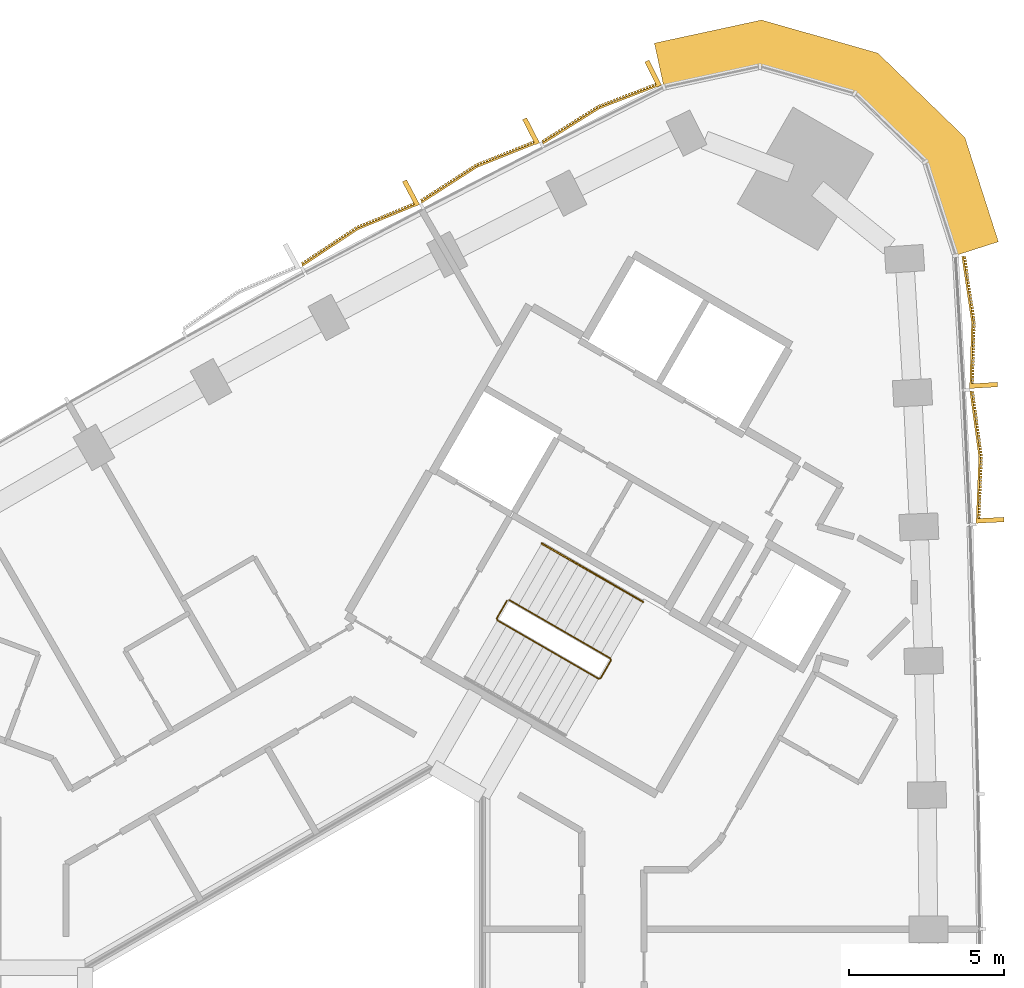
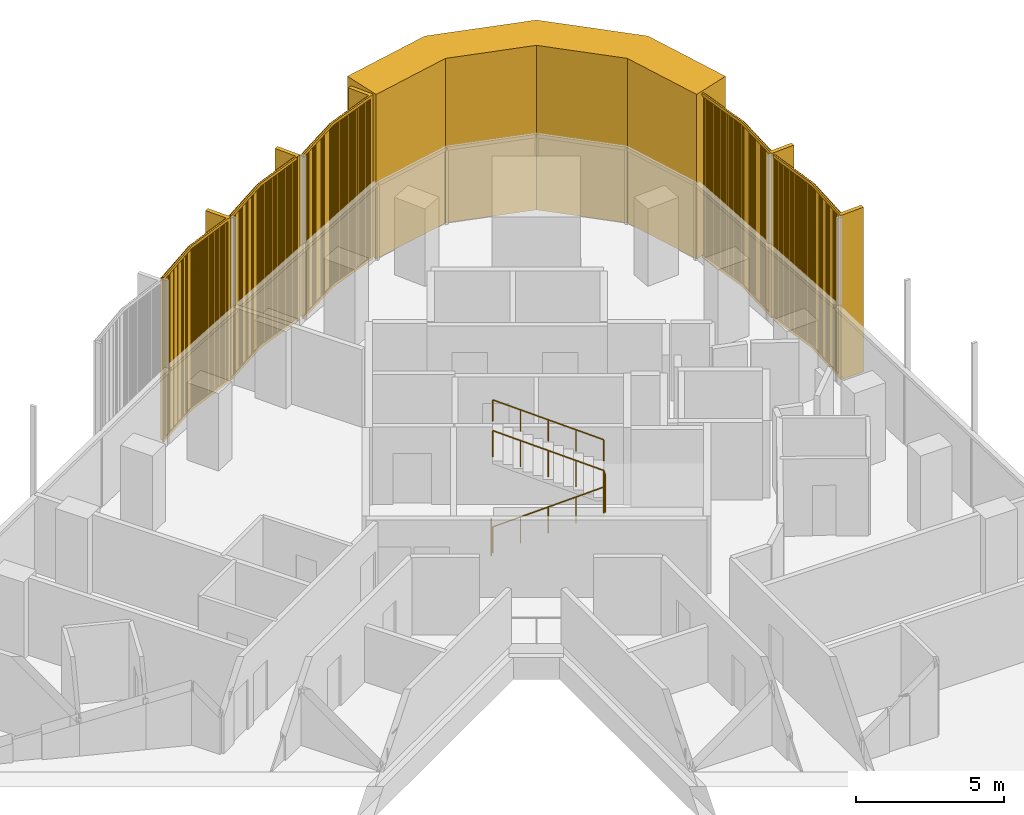
# One storey, part 15 of 15: 6 coverings, 2 railings.
"""IFC4 building model written with IfcOpenShell, lengths in metres."""

from ifc_helpers import new_model, si_unit, direction, frame, frame_2d, origin, origin_2d, place, context, subcontext, project, spatial, polyline, rectangle, circle, outline, extrude, source, transform, mapped, material, layer, layer_set, type_object, element, save


model = new_model("IFC4")

# Units and contexts
model_context = context("Model", 3, precision=1e-05, world=origin(), true_north=direction((0.0, 1.0)))
body_context = subcontext(model_context, "Body", "Model", "MODEL_VIEW")
ifc_project = project(units=[si_unit("LENGTHUNIT", "METRE"), si_unit("AREAUNIT", "SQUARE_METRE"), si_unit("VOLUMEUNIT", "CUBIC_METRE"), si_unit("PLANEANGLEUNIT", "RADIAN"), si_unit("MASSUNIT", "GRAM", prefix="KILO")], contexts=[model_context])

# Site, building, storey
site_placement = place(None, origin())
site = spatial("IfcSite", under=ifc_project, at=site_placement, CompositionType="ELEMENT")
building_placement = place(site_placement, origin())
building = spatial("IfcBuilding", under=site, at=building_placement, Name="Tamra Quay Hotel Tower", CompositionType="ELEMENT")
storey_placement = place(building_placement, frame((0.0, 0.0, 157.60009765625)))
storey = spatial("IfcBuildingStorey", under=building, at=storey_placement, Name="L39", CompositionType="ELEMENT", Elevation=157.60009765625)

# Covering
ifc_material_1 = material(Name="Precast concrete M60 terracotta-coloured", Category="masonry")
ifc_layer = layer(ifc_material_1, 1.449951171875)
ifc_layer_set = layer_set([ifc_layer], Name="CORNER PIER PANEL")
covering_type_1 = type_object("IfcCoveringType", Name="CORNER PIER PANEL", PredefinedType="CLADDING", material=ifc_layer_set)
covering_placement = place(storey_placement, origin())
element("IfcCovering", 1, at=covering_placement, inside=storey, type_object=covering_type_1, Name="Corner pier L39.east", PredefinedType="CLADDING", context=body_context, shape_type="SweptSolid", body=[
    extrude(outline(polyline([(20.0419921875, 23.864990234375), (21.422607421875, 24.30859375), (20.341552734375, 27.6728515625), (17.54150390625, 30.3828125), (13.79443359375, 31.452880859375), (10.340576171875, 30.706787109375), (10.646728515625, 29.28955078125), (13.74560546875, 29.958740234375), (16.794189453125, 29.088134765625), (19.072265625, 26.883544921875), (20.0419921875, 23.864990234375)])), origin(), (0.0, 0.0, 1.0), 6.7998046875),
])

# Railings
ifc_material_2 = material(Name="Stair guard 1100")
railing_type_1 = type_object("IfcRailingType", Name="Stair guard 1100", PredefinedType="GUARDRAIL", material=ifc_material_2)
railing_1_placement = place(storey_placement, frame((5.595458984375, 12.751953125, 0.0)))
element("IfcRailing", 2, at=railing_1_placement, inside=storey, type_object=railing_type_1, Name="GR", PredefinedType="GUARDRAIL", context=body_context, shape_type="SweptSolid", body=[
    extrude(circle(Radius=0.02392578125, at=origin_2d()), frame((0.0, 0.0, 1.076171875), z_axis=(-0.499765215335, -0.866160914346, 0.0), x_axis=(0.866160914346, -0.499765215335, 0.0)), (0.0, 0.0, 1.0), 0.658935546875),
    extrude(circle(Radius=0.02392578125, at=origin_2d()), frame((-0.329345703125, -0.57080078125, 1.076171875), z_axis=(0.110525977783, -0.411156637351, 0.904839338113), x_axis=(0.965715946433, 0.259601060869, 0.0)), (0.0, 0.0, 1.0), 0.165771484375),
    extrude(circle(Radius=0.02392578125, at=origin_2d()), frame((-0.31103515625, -0.638916015625, 1.22607421875), z_axis=(0.793078462799, -0.457933869594, 0.401650498471), x_axis=(0.500040788363, 0.866001853331, 0.0)), (0.0, 0.0, 1.0), 4.10791015625),
    extrude(circle(Radius=0.02392578125, at=origin_2d()), frame((2.94677734375, -2.52001953125, 2.8759765625), z_axis=(0.965948051503, 0.258736085224, 0.0), x_axis=(-0.258736085224, 0.965948051503, 0.0)), (0.0, 0.0, 1.0), 0.07080078125),
    extrude(circle(Radius=0.02392578125, at=origin_2d()), frame((3.01513671875, -2.501708984375, 2.8759765625), z_axis=(0.500043078269, 0.866000531106, 0.0), x_axis=(-0.866000531106, 0.500043078269, 0.0)), (0.0, 0.0, 1.0), 0.6591796875),
    extrude(circle(Radius=0.02392578125, at=origin_2d()), frame((3.3447265625, -1.930908203125, 2.8759765625), z_axis=(-0.110378772244, 0.410609032747, 0.905105932399), x_axis=(-0.965715946433, -0.259601060869, 0.0)), (0.0, 0.0, 1.0), 0.165771484375),
    extrude(circle(Radius=0.02392578125, at=origin_2d()), frame((3.326416015625, -1.86279296875, 3.02587890625), z_axis=(-0.793100512587, 0.457912285461, 0.401631567183), x_axis=(-0.500012686397, -0.866018079166, 0.0)), (0.0, 0.0, 1.0), 4.10791015625),
    extrude(circle(Radius=0.02099609375, at=origin_2d()), origin(), (0.0, 0.0, 1.0), 1.052001953125),
    extrude(circle(Radius=0.02099609375, at=origin_2d()), frame((-0.329345703125, -0.57080078125, 0.0)), (0.0, 0.0, 1.0), 1.052001953125),
    extrude(circle(Radius=0.02099609375, at=origin_2d()), frame((-0.31103515625, -0.638916015625, 0.14990234375)), (0.0, 0.0, 1.0), 1.052001953125),
    extrude(circle(Radius=0.02099609375, at=origin_2d()), frame((0.50341796875, -1.109130859375, 0.5625)), (0.0, 0.0, 1.0), 1.052001953125),
    extrude(circle(Radius=0.02099609375, at=origin_2d()), frame((1.31787109375, -1.57958984375, 0.974853515625)), (0.0, 0.0, 1.0), 1.052001953125),
    extrude(circle(Radius=0.02099609375, at=origin_2d()), frame((2.13232421875, -2.0498046875, 1.38720703125)), (0.0, 0.0, 1.0), 1.052001953125),
    extrude(circle(Radius=0.02099609375, at=origin_2d()), frame((2.94677734375, -2.52001953125, 1.7998046875)), (0.0, 0.0, 1.0), 1.052001953125),
    extrude(circle(Radius=0.02099609375, at=origin_2d()), frame((3.01513671875, -2.501708984375, 1.7998046875)), (0.0, 0.0, 1.0), 1.052001953125),
    extrude(circle(Radius=0.02099609375, at=origin_2d()), frame((3.3447265625, -1.930908203125, 1.7998046875)), (0.0, 0.0, 1.0), 1.052001953125),
    extrude(circle(Radius=0.02099609375, at=origin_2d()), frame((3.326416015625, -1.86279296875, 1.949951171875)), (0.0, 0.0, 1.0), 1.052001953125),
    extrude(circle(Radius=0.02099609375, at=origin_2d()), frame((2.511962890625, -1.392578125, 2.3623046875)), (0.0, 0.0, 1.0), 1.052001953125),
    extrude(circle(Radius=0.02099609375, at=origin_2d()), frame((1.697265625, -0.92236328125, 2.77490234375)), (0.0, 0.0, 1.0), 1.052001953125),
    extrude(circle(Radius=0.02099609375, at=origin_2d()), frame((0.8828125, -0.451904296875, 3.1875)), (0.0, 0.0, 1.0), 1.052001953125),
    extrude(circle(Radius=0.02099609375, at=origin_2d()), frame((0.068359375, 0.018310546875, 3.599853515625)), (0.0, 0.0, 1.0), 1.052001953125),
])
ifc_material_3 = material(Name="Stair handrail 900")
railing_type_2 = type_object("IfcRailingType", Name="Stair handrail 900", PredefinedType="HANDRAIL", material=ifc_material_3)
railing_2_placement = place(storey_placement, frame((9.971923828125, 12.7080078125, 1.949951171875)))
element("IfcRailing", 3, at=railing_2_placement, inside=storey, type_object=railing_type_2, Name="HR", PredefinedType="HANDRAIL", context=body_context, shape_type="SweptSolid", body=[
    extrude(circle(Radius=0.02392578125, at=origin_2d()), frame((0.0, 0.0, 0.8759765625), z_axis=(-0.793122095483, 0.45786531462, 0.401642496911), x_axis=(-0.499964013922, -0.86604617936, 0.0)), (0.0, 0.0, 1.0), 4.10791015625),
    extrude(circle(Radius=0.02099609375, at=origin_2d()), origin(), (0.0, 0.0, 1.0), 0.851806640625),
    extrude(circle(Radius=0.02099609375, at=origin_2d()), frame((-0.814453125, 0.47021484375, 0.41259765625)), (0.0, 0.0, 1.0), 0.851806640625),
    extrude(circle(Radius=0.02099609375, at=origin_2d()), frame((-1.62890625, 0.9404296875, 0.824951171875)), (0.0, 0.0, 1.0), 0.851806640625),
    extrude(circle(Radius=0.02099609375, at=origin_2d()), frame((-2.443603515625, 1.41064453125, 1.2373046875)), (0.0, 0.0, 1.0), 0.851806640625),
    extrude(circle(Radius=0.02099609375, at=origin_2d()), frame((-3.258056640625, 1.880859375, 1.64990234375)), (0.0, 0.0, 1.0), 0.851806640625),
])

# Coverings
ifc_material_4 = material(Name="Terracotta baguette extruded", Category="masonry")
covering_type_2 = type_object("IfcCoveringType", Name="BAGUETTE SCREEN E-V H6800", PredefinedType="USERDEFINED", material=ifc_material_4)
shared_shape_1 = source(origin(), body_context, "Body", "SweptSolid", [
    extrude(rectangle(XDim=2.140625, YDim=0.06005859375, at=frame_2d((1.0703125, 0.030029296875))), frame((-2.1376953125, -0.057861328125, -0.1201171875), z_axis=(0.0, 0.0, 1.0), x_axis=(0.996194698092, -0.087155742748, 0.0)), (0.0, 0.0, 1.0), 0.1201171875),
    extrude(rectangle(XDim=2.140625, YDim=0.06005859375, at=frame_2d((1.0703125, 0.030029296875))), frame((-2.1376953125, -0.057861328125, -6.800048828125), z_axis=(0.0, 0.0, 1.0), x_axis=(0.996194698092, -0.087155742748, 0.0)), (0.0, 0.0, 1.0), 0.1201171875),
    extrude(rectangle(XDim=0.070068359375, YDim=0.10009765625, at=frame_2d((0.03515625, 0.050048828125))), frame((-2.11669921875, -0.13232421875, -6.739990234375)), (0.0, 0.0, 1.0), 6.679931640625),
    extrude(rectangle(XDim=0.070068359375, YDim=0.10009765625, at=frame_2d((0.03515625, 0.050048828125))), frame((-2.01513671875, -0.141357421875, -6.739990234375)), (0.0, 0.0, 1.0), 6.679931640625),
    extrude(rectangle(XDim=0.070068359375, YDim=0.10009765625, at=frame_2d((0.03515625, 0.050048828125))), frame((-1.91357421875, -0.150146484375, -6.739990234375)), (0.0, 0.0, 1.0), 6.679931640625),
    extrude(rectangle(XDim=0.070068359375, YDim=0.10009765625, at=frame_2d((0.03515625, 0.050048828125))), frame((-1.81201171875, -0.1591796875, -6.739990234375)), (0.0, 0.0, 1.0), 6.679931640625),
    extrude(rectangle(XDim=0.070068359375, YDim=0.10009765625, at=frame_2d((0.03515625, 0.050048828125))), frame((-1.71044921875, -0.16796875, -6.739990234375)), (0.0, 0.0, 1.0), 6.679931640625),
    extrude(rectangle(XDim=0.070068359375, YDim=0.10009765625, at=frame_2d((0.03515625, 0.050048828125))), frame((-1.60888671875, -0.1767578125, -6.739990234375)), (0.0, 0.0, 1.0), 6.679931640625),
    extrude(rectangle(XDim=0.070068359375, YDim=0.10009765625, at=frame_2d((0.03515625, 0.050048828125))), frame((-1.50732421875, -0.185791015625, -6.739990234375)), (0.0, 0.0, 1.0), 6.679931640625),
    extrude(rectangle(XDim=0.070068359375, YDim=0.10009765625, at=frame_2d((0.03515625, 0.050048828125))), frame((-1.406005859375, -0.194580078125, -6.739990234375)), (0.0, 0.0, 1.0), 6.679931640625),
    extrude(rectangle(XDim=0.070068359375, YDim=0.10009765625, at=frame_2d((0.03515625, 0.050048828125))), frame((-1.304443359375, -0.20361328125, -6.739990234375)), (0.0, 0.0, 1.0), 6.679931640625),
    extrude(rectangle(XDim=0.070068359375, YDim=0.10009765625, at=frame_2d((0.03515625, 0.050048828125))), frame((-1.202880859375, -0.21240234375, -6.739990234375)), (0.0, 0.0, 1.0), 6.679931640625),
    extrude(rectangle(XDim=0.070068359375, YDim=0.10009765625, at=frame_2d((0.03515625, 0.050048828125))), frame((-1.101318359375, -0.22119140625, -6.739990234375)), (0.0, 0.0, 1.0), 6.679931640625),
    extrude(rectangle(XDim=0.070068359375, YDim=0.10009765625, at=frame_2d((0.03515625, 0.050048828125))), frame((-0.999755859375, -0.230224609375, -6.739990234375)), (0.0, 0.0, 1.0), 6.679931640625),
    extrude(rectangle(XDim=0.070068359375, YDim=0.10009765625, at=frame_2d((0.03515625, 0.050048828125))), frame((-0.898193359375, -0.239013671875, -6.739990234375)), (0.0, 0.0, 1.0), 6.679931640625),
    extrude(rectangle(XDim=0.070068359375, YDim=0.10009765625, at=frame_2d((0.03515625, 0.050048828125))), frame((-0.796630859375, -0.248046875, -6.739990234375)), (0.0, 0.0, 1.0), 6.679931640625),
    extrude(rectangle(XDim=0.070068359375, YDim=0.10009765625, at=frame_2d((0.03515625, 0.050048828125))), frame((-0.695068359375, -0.2568359375, -6.739990234375)), (0.0, 0.0, 1.0), 6.679931640625),
    extrude(rectangle(XDim=0.070068359375, YDim=0.10009765625, at=frame_2d((0.03515625, 0.050048828125))), frame((-0.593505859375, -0.265625, -6.739990234375)), (0.0, 0.0, 1.0), 6.679931640625),
    extrude(rectangle(XDim=0.070068359375, YDim=0.10009765625, at=frame_2d((0.03515625, 0.050048828125))), frame((-0.491943359375, -0.274658203125, -6.739990234375)), (0.0, 0.0, 1.0), 6.679931640625),
    extrude(rectangle(XDim=0.070068359375, YDim=0.10009765625, at=frame_2d((0.03515625, 0.050048828125))), frame((-0.390380859375, -0.283447265625, -6.739990234375)), (0.0, 0.0, 1.0), 6.679931640625),
    extrude(rectangle(XDim=0.070068359375, YDim=0.10009765625, at=frame_2d((0.03515625, 0.050048828125))), frame((-0.288818359375, -0.29248046875, -6.739990234375)), (0.0, 0.0, 1.0), 6.679931640625),
    extrude(rectangle(XDim=0.070068359375, YDim=0.10009765625, at=frame_2d((0.03515625, 0.050048828125))), frame((-0.187255859375, -0.30126953125, -6.739990234375)), (0.0, 0.0, 1.0), 6.679931640625),
    extrude(rectangle(XDim=0.070068359375, YDim=0.10009765625, at=frame_2d((0.03515625, 0.050048828125))), frame((-0.085693359375, -0.31005859375, -6.739990234375)), (0.0, 0.0, 1.0), 6.679931640625),
    extrude(rectangle(XDim=2.140625, YDim=0.06005859375, at=frame_2d((1.0703125, 0.030029296875))), frame((0.005126953125, -0.244384765625, -0.1201171875), z_axis=(0.0, 0.0, 1.0), x_axis=(0.996194698092, 0.087155742748, 0.0)), (0.0, 0.0, 1.0), 0.1201171875),
    extrude(rectangle(XDim=2.140625, YDim=0.06005859375, at=frame_2d((1.0703125, 0.030029296875))), frame((0.005126953125, -0.244384765625, -6.800048828125), z_axis=(0.0, 0.0, 1.0), x_axis=(0.996194698092, 0.087155742748, 0.0)), (0.0, 0.0, 1.0), 0.1201171875),
    extrude(rectangle(XDim=0.070068359375, YDim=0.10009765625, at=frame_2d((0.03515625, 0.050048828125))), frame((0.015869140625, -0.31005859375, -6.739990234375)), (0.0, 0.0, 1.0), 6.679931640625),
    extrude(rectangle(XDim=0.070068359375, YDim=0.10009765625, at=frame_2d((0.03515625, 0.050048828125))), frame((0.117431640625, -0.30126953125, -6.739990234375)), (0.0, 0.0, 1.0), 6.679931640625),
    extrude(rectangle(XDim=0.070068359375, YDim=0.10009765625, at=frame_2d((0.03515625, 0.050048828125))), frame((0.21875, -0.29248046875, -6.739990234375)), (0.0, 0.0, 1.0), 6.679931640625),
    extrude(rectangle(XDim=0.070068359375, YDim=0.10009765625, at=frame_2d((0.03515625, 0.050048828125))), frame((0.3203125, -0.283447265625, -6.739990234375)), (0.0, 0.0, 1.0), 6.679931640625),
    extrude(rectangle(XDim=0.070068359375, YDim=0.10009765625, at=frame_2d((0.03515625, 0.050048828125))), frame((0.421875, -0.274658203125, -6.739990234375)), (0.0, 0.0, 1.0), 6.679931640625),
    extrude(rectangle(XDim=0.070068359375, YDim=0.10009765625, at=frame_2d((0.03515625, 0.050048828125))), frame((0.5234375, -0.265625, -6.739990234375)), (0.0, 0.0, 1.0), 6.679931640625),
    extrude(rectangle(XDim=0.070068359375, YDim=0.10009765625, at=frame_2d((0.03515625, 0.050048828125))), frame((0.625, -0.2568359375, -6.739990234375)), (0.0, 0.0, 1.0), 6.679931640625),
    extrude(rectangle(XDim=0.070068359375, YDim=0.10009765625, at=frame_2d((0.03515625, 0.050048828125))), frame((0.7265625, -0.248046875, -6.739990234375)), (0.0, 0.0, 1.0), 6.679931640625),
    extrude(rectangle(XDim=0.070068359375, YDim=0.10009765625, at=frame_2d((0.03515625, 0.050048828125))), frame((0.828125, -0.239013671875, -6.739990234375)), (0.0, 0.0, 1.0), 6.679931640625),
    extrude(rectangle(XDim=0.070068359375, YDim=0.10009765625, at=frame_2d((0.03515625, 0.050048828125))), frame((0.9296875, -0.230224609375, -6.739990234375)), (0.0, 0.0, 1.0), 6.679931640625),
    extrude(rectangle(XDim=0.070068359375, YDim=0.10009765625, at=frame_2d((0.03515625, 0.050048828125))), frame((1.03125, -0.22119140625, -6.739990234375)), (0.0, 0.0, 1.0), 6.679931640625),
    extrude(rectangle(XDim=0.070068359375, YDim=0.10009765625, at=frame_2d((0.03515625, 0.050048828125))), frame((1.1328125, -0.21240234375, -6.739990234375)), (0.0, 0.0, 1.0), 6.679931640625),
    extrude(rectangle(XDim=0.070068359375, YDim=0.10009765625, at=frame_2d((0.03515625, 0.050048828125))), frame((1.234375, -0.20361328125, -6.739990234375)), (0.0, 0.0, 1.0), 6.679931640625),
    extrude(rectangle(XDim=0.070068359375, YDim=0.10009765625, at=frame_2d((0.03515625, 0.050048828125))), frame((1.3359375, -0.194580078125, -6.739990234375)), (0.0, 0.0, 1.0), 6.679931640625),
    extrude(rectangle(XDim=0.070068359375, YDim=0.10009765625, at=frame_2d((0.03515625, 0.050048828125))), frame((1.4375, -0.185791015625, -6.739990234375)), (0.0, 0.0, 1.0), 6.679931640625),
    extrude(rectangle(XDim=0.070068359375, YDim=0.10009765625, at=frame_2d((0.03515625, 0.050048828125))), frame((1.5390625, -0.1767578125, -6.739990234375)), (0.0, 0.0, 1.0), 6.679931640625),
    extrude(rectangle(XDim=0.070068359375, YDim=0.10009765625, at=frame_2d((0.03515625, 0.050048828125))), frame((1.640625, -0.16796875, -6.739990234375)), (0.0, 0.0, 1.0), 6.679931640625),
    extrude(rectangle(XDim=0.070068359375, YDim=0.10009765625, at=frame_2d((0.03515625, 0.050048828125))), frame((1.7421875, -0.1591796875, -6.739990234375)), (0.0, 0.0, 1.0), 6.679931640625),
    extrude(rectangle(XDim=0.070068359375, YDim=0.10009765625, at=frame_2d((0.03515625, 0.050048828125))), frame((1.84375, -0.150146484375, -6.739990234375)), (0.0, 0.0, 1.0), 6.679931640625),
    extrude(rectangle(XDim=0.070068359375, YDim=0.10009765625, at=frame_2d((0.03515625, 0.050048828125))), frame((1.945068359375, -0.141357421875, -6.739990234375)), (0.0, 0.0, 1.0), 6.679931640625),
    extrude(rectangle(XDim=0.070068359375, YDim=0.10009765625, at=frame_2d((0.03515625, 0.050048828125))), frame((2.046630859375, -0.13232421875, -6.739990234375)), (0.0, 0.0, 1.0), 6.679931640625),
    extrude(rectangle(XDim=0.14990234375, YDim=0.902099609375, at=frame_2d((0.074951171875, 0.451171875))), frame((-2.132568359375, -0.89990234375, -6.800048828125)), (0.0, 0.0, 1.0), 6.800048828125),
])
for number, where, z_axis, x_axis, name in (
    (4, (20.6025390625, 17.371826171875, 6.7998046875), (0.0, 0.0, 1.0), (-0.04774710654, 0.998859456489, 0.0), "Baguette screen L39.E.f09"),
    (5, (20.369384765625, 21.709716796875, 6.7998046875), (0.0, 0.0, 1.0), (-0.05964191564, 0.998219836458, 0.0), "Baguette screen L39.E.f10"),
):
    element("IfcCovering", number, at=place(storey_placement, frame(where, z_axis=z_axis, x_axis=x_axis)), inside=storey, type_object=covering_type_2, Name=name, ObjectType="BAGUETTE SCREEN", PredefinedType="USERDEFINED", context=body_context, shape_type="MappedRepresentation", body=[
        mapped(shared_shape_1, transform((0.0, 0.0, 0.0), scale=1.0)),
    ])
covering_type_3 = type_object("IfcCoveringType", Name="BAGUETTE SCREEN NW-V H6800", PredefinedType="USERDEFINED", material=ifc_material_4)
shared_shape_2 = source(origin(), body_context, "Body", "SweptSolid", [
    extrude(rectangle(XDim=2.142333984375, YDim=0.06005859375, at=frame_2d((1.0712890625, 0.030029296875))), frame((-2.13818359375, -0.0576171875, -0.1201171875), z_axis=(0.0, 0.0, 1.0), x_axis=(0.995396198367, -0.09584575252, 0.0)), (0.0, 0.0, 1.0), 0.1201171875),
    extrude(rectangle(XDim=2.142333984375, YDim=0.06005859375, at=frame_2d((1.0712890625, 0.030029296875))), frame((-2.13818359375, -0.0576171875, -6.800048828125), z_axis=(0.0, 0.0, 1.0), x_axis=(0.995396198367, -0.09584575252, 0.0)), (0.0, 0.0, 1.0), 0.1201171875),
    extrude(rectangle(XDim=0.070068359375, YDim=0.10009765625, at=frame_2d((0.03515625, 0.050048828125))), frame((-2.11669921875, -0.1328125, -6.739990234375)), (0.0, 0.0, 1.0), 6.679931640625),
    extrude(rectangle(XDim=0.070068359375, YDim=0.10009765625, at=frame_2d((0.03515625, 0.050048828125))), frame((-2.01513671875, -0.142578125, -6.739990234375)), (0.0, 0.0, 1.0), 6.679931640625),
    extrude(rectangle(XDim=0.070068359375, YDim=0.10009765625, at=frame_2d((0.03515625, 0.050048828125))), frame((-1.91357421875, -0.15234375, -6.739990234375)), (0.0, 0.0, 1.0), 6.679931640625),
    extrude(rectangle(XDim=0.070068359375, YDim=0.10009765625, at=frame_2d((0.03515625, 0.050048828125))), frame((-1.81201171875, -0.162109375, -6.739990234375)), (0.0, 0.0, 1.0), 6.679931640625),
    extrude(rectangle(XDim=0.070068359375, YDim=0.10009765625, at=frame_2d((0.03515625, 0.050048828125))), frame((-1.71044921875, -0.172119140625, -6.739990234375)), (0.0, 0.0, 1.0), 6.679931640625),
    extrude(rectangle(XDim=0.070068359375, YDim=0.10009765625, at=frame_2d((0.03515625, 0.050048828125))), frame((-1.60888671875, -0.181884765625, -6.739990234375)), (0.0, 0.0, 1.0), 6.679931640625),
    extrude(rectangle(XDim=0.070068359375, YDim=0.10009765625, at=frame_2d((0.03515625, 0.050048828125))), frame((-1.50732421875, -0.191650390625, -6.739990234375)), (0.0, 0.0, 1.0), 6.679931640625),
    extrude(rectangle(XDim=0.070068359375, YDim=0.10009765625, at=frame_2d((0.03515625, 0.050048828125))), frame((-1.406005859375, -0.201416015625, -6.739990234375)), (0.0, 0.0, 1.0), 6.679931640625),
    extrude(rectangle(XDim=0.070068359375, YDim=0.10009765625, at=frame_2d((0.03515625, 0.050048828125))), frame((-1.304443359375, -0.211181640625, -6.739990234375)), (0.0, 0.0, 1.0), 6.679931640625),
    extrude(rectangle(XDim=0.070068359375, YDim=0.10009765625, at=frame_2d((0.03515625, 0.050048828125))), frame((-1.202880859375, -0.220947265625, -6.739990234375)), (0.0, 0.0, 1.0), 6.679931640625),
    extrude(rectangle(XDim=0.070068359375, YDim=0.10009765625, at=frame_2d((0.03515625, 0.050048828125))), frame((-1.101318359375, -0.230712890625, -6.739990234375)), (0.0, 0.0, 1.0), 6.679931640625),
    extrude(rectangle(XDim=0.070068359375, YDim=0.10009765625, at=frame_2d((0.03515625, 0.050048828125))), frame((-0.999755859375, -0.240478515625, -6.739990234375)), (0.0, 0.0, 1.0), 6.679931640625),
    extrude(rectangle(XDim=0.070068359375, YDim=0.10009765625, at=frame_2d((0.03515625, 0.050048828125))), frame((-0.898193359375, -0.250244140625, -6.739990234375)), (0.0, 0.0, 1.0), 6.679931640625),
    extrude(rectangle(XDim=0.070068359375, YDim=0.10009765625, at=frame_2d((0.03515625, 0.050048828125))), frame((-0.796630859375, -0.260009765625, -6.739990234375)), (0.0, 0.0, 1.0), 6.679931640625),
    extrude(rectangle(XDim=0.070068359375, YDim=0.10009765625, at=frame_2d((0.03515625, 0.050048828125))), frame((-0.695068359375, -0.269775390625, -6.739990234375)), (0.0, 0.0, 1.0), 6.679931640625),
    extrude(rectangle(XDim=0.070068359375, YDim=0.10009765625, at=frame_2d((0.03515625, 0.050048828125))), frame((-0.593505859375, -0.279541015625, -6.739990234375)), (0.0, 0.0, 1.0), 6.679931640625),
    extrude(rectangle(XDim=0.070068359375, YDim=0.10009765625, at=frame_2d((0.03515625, 0.050048828125))), frame((-0.491943359375, -0.289306640625, -6.739990234375)), (0.0, 0.0, 1.0), 6.679931640625),
    extrude(rectangle(XDim=0.070068359375, YDim=0.10009765625, at=frame_2d((0.03515625, 0.050048828125))), frame((-0.390380859375, -0.299072265625, -6.739990234375)), (0.0, 0.0, 1.0), 6.679931640625),
    extrude(rectangle(XDim=0.070068359375, YDim=0.10009765625, at=frame_2d((0.03515625, 0.050048828125))), frame((-0.288818359375, -0.308837890625, -6.739990234375)), (0.0, 0.0, 1.0), 6.679931640625),
    extrude(rectangle(XDim=0.070068359375, YDim=0.10009765625, at=frame_2d((0.03515625, 0.050048828125))), frame((-0.187255859375, -0.318603515625, -6.739990234375)), (0.0, 0.0, 1.0), 6.679931640625),
    extrude(rectangle(XDim=0.070068359375, YDim=0.10009765625, at=frame_2d((0.03515625, 0.050048828125))), frame((-0.085693359375, -0.328369140625, -6.739990234375)), (0.0, 0.0, 1.0), 6.679931640625),
    extrude(rectangle(XDim=2.142333984375, YDim=0.06005859375, at=frame_2d((1.0712890625, 0.030029296875))), frame((0.005859375, -0.262939453125, -0.1201171875), z_axis=(0.0, 0.0, 1.0), x_axis=(0.995396198367, 0.09584575252, 0.0)), (0.0, 0.0, 1.0), 0.1201171875),
    extrude(rectangle(XDim=2.142333984375, YDim=0.06005859375, at=frame_2d((1.0712890625, 0.030029296875))), frame((0.005859375, -0.262939453125, -6.800048828125), z_axis=(0.0, 0.0, 1.0), x_axis=(0.995396198367, 0.09584575252, 0.0)), (0.0, 0.0, 1.0), 0.1201171875),
    extrude(rectangle(XDim=0.070068359375, YDim=0.10009765625, at=frame_2d((0.03515625, 0.050048828125))), frame((0.015869140625, -0.328369140625, -6.739990234375)), (0.0, 0.0, 1.0), 6.679931640625),
    extrude(rectangle(XDim=0.070068359375, YDim=0.10009765625, at=frame_2d((0.03515625, 0.050048828125))), frame((0.117431640625, -0.318603515625, -6.739990234375)), (0.0, 0.0, 1.0), 6.679931640625),
    extrude(rectangle(XDim=0.070068359375, YDim=0.10009765625, at=frame_2d((0.03515625, 0.050048828125))), frame((0.21875, -0.308837890625, -6.739990234375)), (0.0, 0.0, 1.0), 6.679931640625),
    extrude(rectangle(XDim=0.070068359375, YDim=0.10009765625, at=frame_2d((0.03515625, 0.050048828125))), frame((0.3203125, -0.299072265625, -6.739990234375)), (0.0, 0.0, 1.0), 6.679931640625),
    extrude(rectangle(XDim=0.070068359375, YDim=0.10009765625, at=frame_2d((0.03515625, 0.050048828125))), frame((0.421875, -0.289306640625, -6.739990234375)), (0.0, 0.0, 1.0), 6.679931640625),
    extrude(rectangle(XDim=0.070068359375, YDim=0.10009765625, at=frame_2d((0.03515625, 0.050048828125))), frame((0.5234375, -0.279541015625, -6.739990234375)), (0.0, 0.0, 1.0), 6.679931640625),
    extrude(rectangle(XDim=0.070068359375, YDim=0.10009765625, at=frame_2d((0.03515625, 0.050048828125))), frame((0.625, -0.269775390625, -6.739990234375)), (0.0, 0.0, 1.0), 6.679931640625),
    extrude(rectangle(XDim=0.070068359375, YDim=0.10009765625, at=frame_2d((0.03515625, 0.050048828125))), frame((0.7265625, -0.260009765625, -6.739990234375)), (0.0, 0.0, 1.0), 6.679931640625),
    extrude(rectangle(XDim=0.070068359375, YDim=0.10009765625, at=frame_2d((0.03515625, 0.050048828125))), frame((0.828125, -0.250244140625, -6.739990234375)), (0.0, 0.0, 1.0), 6.679931640625),
    extrude(rectangle(XDim=0.070068359375, YDim=0.10009765625, at=frame_2d((0.03515625, 0.050048828125))), frame((0.9296875, -0.240478515625, -6.739990234375)), (0.0, 0.0, 1.0), 6.679931640625),
    extrude(rectangle(XDim=0.070068359375, YDim=0.10009765625, at=frame_2d((0.03515625, 0.050048828125))), frame((1.03125, -0.230712890625, -6.739990234375)), (0.0, 0.0, 1.0), 6.679931640625),
    extrude(rectangle(XDim=0.070068359375, YDim=0.10009765625, at=frame_2d((0.03515625, 0.050048828125))), frame((1.1328125, -0.220947265625, -6.739990234375)), (0.0, 0.0, 1.0), 6.679931640625),
    extrude(rectangle(XDim=0.070068359375, YDim=0.10009765625, at=frame_2d((0.03515625, 0.050048828125))), frame((1.234375, -0.211181640625, -6.739990234375)), (0.0, 0.0, 1.0), 6.679931640625),
    extrude(rectangle(XDim=0.070068359375, YDim=0.10009765625, at=frame_2d((0.03515625, 0.050048828125))), frame((1.3359375, -0.201416015625, -6.739990234375)), (0.0, 0.0, 1.0), 6.679931640625),
    extrude(rectangle(XDim=0.070068359375, YDim=0.10009765625, at=frame_2d((0.03515625, 0.050048828125))), frame((1.4375, -0.191650390625, -6.739990234375)), (0.0, 0.0, 1.0), 6.679931640625),
    extrude(rectangle(XDim=0.070068359375, YDim=0.10009765625, at=frame_2d((0.03515625, 0.050048828125))), frame((1.5390625, -0.181884765625, -6.739990234375)), (0.0, 0.0, 1.0), 6.679931640625),
    extrude(rectangle(XDim=0.070068359375, YDim=0.10009765625, at=frame_2d((0.03515625, 0.050048828125))), frame((1.640625, -0.172119140625, -6.739990234375)), (0.0, 0.0, 1.0), 6.679931640625),
    extrude(rectangle(XDim=0.070068359375, YDim=0.10009765625, at=frame_2d((0.03515625, 0.050048828125))), frame((1.7421875, -0.162109375, -6.739990234375)), (0.0, 0.0, 1.0), 6.679931640625),
    extrude(rectangle(XDim=0.070068359375, YDim=0.10009765625, at=frame_2d((0.03515625, 0.050048828125))), frame((1.84375, -0.15234375, -6.739990234375)), (0.0, 0.0, 1.0), 6.679931640625),
    extrude(rectangle(XDim=0.070068359375, YDim=0.10009765625, at=frame_2d((0.03515625, 0.050048828125))), frame((1.945068359375, -0.142578125, -6.739990234375)), (0.0, 0.0, 1.0), 6.679931640625),
    extrude(rectangle(XDim=0.070068359375, YDim=0.10009765625, at=frame_2d((0.03515625, 0.050048828125))), frame((2.046630859375, -0.1328125, -6.739990234375)), (0.0, 0.0, 1.0), 6.679931640625),
    extrude(rectangle(XDim=0.14990234375, YDim=0.902099609375, at=frame_2d((0.074951171875, 0.451171875))), frame((-2.132568359375, -0.89990234375, -6.800048828125)), (0.0, 0.0, 1.0), 6.800048828125),
])
for number, where, z_axis, x_axis, name in (
    (6, (8.661376953125, 28.40576171875, 6.7998046875), (0.0, 0.0, 1.0), (-0.894304694754, -0.447458504155, 0.0), "Baguette screen L39.NW.f00"),
    (7, (4.7431640625, 26.528076171875, 6.7998046875), (0.0, 0.0, 1.0), (-0.8889112174, -0.458079521023, 0.0), "Baguette screen L39.NW.f01"),
    (8, (0.893310546875, 24.51513671875, 6.7998046875), (0.0, 0.0, 1.0), (-0.883391332741, -0.468636056272, 0.0), "Baguette screen L39.NW.f02"),
):
    element("IfcCovering", number, at=place(storey_placement, frame(where, z_axis=z_axis, x_axis=x_axis)), inside=storey, type_object=covering_type_3, Name=name, ObjectType="BAGUETTE SCREEN", PredefinedType="USERDEFINED", context=body_context, shape_type="MappedRepresentation", body=[
        mapped(shared_shape_2, transform((0.0, 0.0, 0.0), scale=1.0)),
    ])

save(model, "model.ifc")
